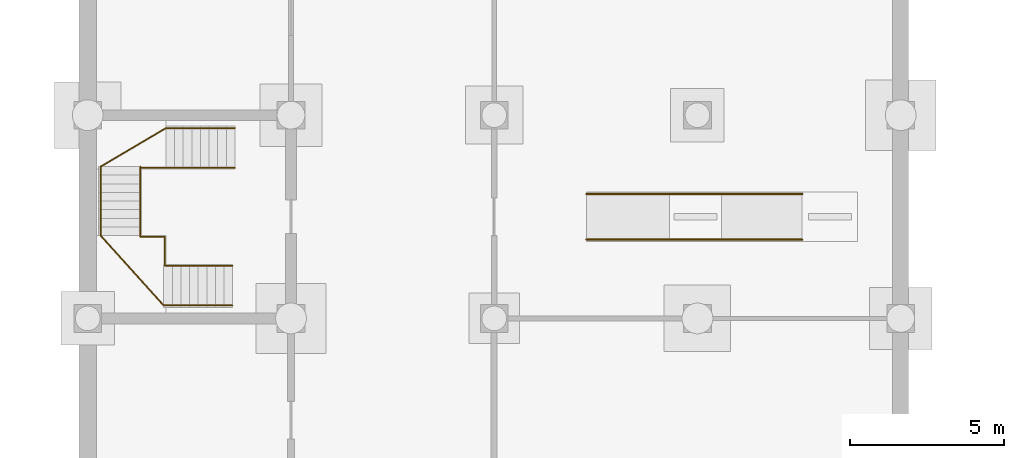
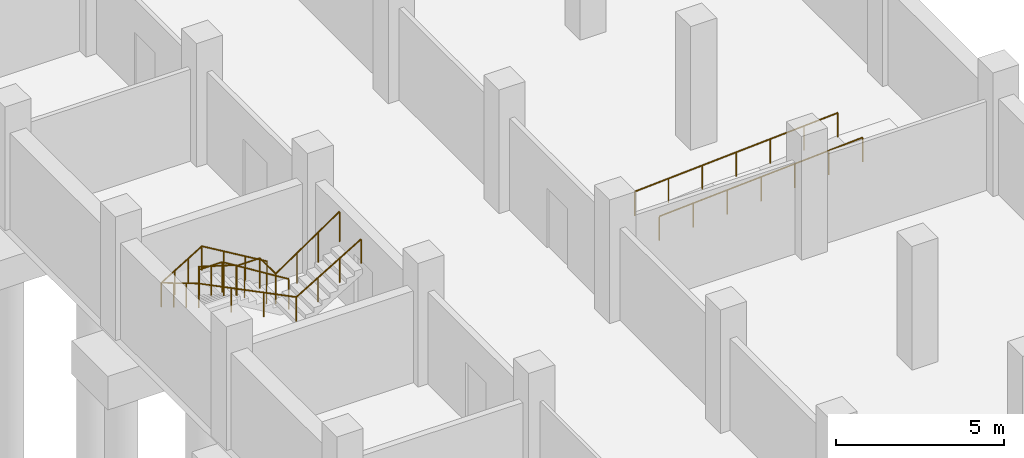
# One storey, part 18 of 18: 4 railings.
"""IFC4 building model written with IfcOpenShell, lengths in metres."""

from ifc_helpers import new_model, si_unit, direction, frame, origin, origin_2d, place, context, subcontext, project, spatial, circle, extrude, material, type_object, element, save


model = new_model("IFC4")

# Units and contexts
model_context = context("Model", 3, precision=1e-05, world=origin(), true_north=direction((0.0, 1.0)))
body_context = subcontext(model_context, "Body", "Model", "MODEL_VIEW")
ifc_project = project(units=[si_unit("LENGTHUNIT", "METRE"), si_unit("AREAUNIT", "SQUARE_METRE"), si_unit("VOLUMEUNIT", "CUBIC_METRE"), si_unit("PLANEANGLEUNIT", "RADIAN"), si_unit("MASSUNIT", "GRAM", prefix="KILO")], contexts=[model_context])

# Site, building, storey
site_placement = place(None, origin())
site = spatial("IfcSite", under=ifc_project, at=site_placement, CompositionType="ELEMENT")
building_placement = place(site_placement, origin())
building = spatial("IfcBuilding", under=site, at=building_placement, Name="Rusizi Kubbe Research Institute", CompositionType="ELEMENT")
storey_placement = place(building_placement, frame((0.0, 0.0, -4.5)))
storey = spatial("IfcBuildingStorey", under=building, at=storey_placement, Name="B01", CompositionType="ELEMENT", Elevation=-4.5)

# Railings
ifc_material_1 = material(Name="Painted Steel Stair Guard", Category="steel")
railing_type_1 = type_object("IfcRailingType", Name="GR-STAIR", PredefinedType="GUARDRAIL", material=ifc_material_1)
railing_1_placement = place(storey_placement, frame((4.780029296875, 130.2900390625, 0.083251953125)))
element("IfcRailing", 1, at=railing_1_placement, inside=storey, type_object=railing_type_1, Name="Stair Inner Well Guard ST6 B01", PredefinedType="GUARDRAIL", context=body_context, shape_type="SweptSolid", body=[
    extrude(circle(Radius=0.02392578125, at=origin_2d()), frame((0.0, 0.0, 1.09619140625), z_axis=(-0.849380094892, 0.0, 0.527781635149), x_axis=(0.0, -1.0, 0.0)), (0.0, 0.0, 1.0), 2.684326171875),
    extrude(circle(Radius=0.02392578125, at=origin_2d()), frame((-2.280029296875, 0.0, 2.5126953125), z_axis=(-1.0, 0.0, 0.0), x_axis=(0.0, -1.0, 0.0)), (0.0, 0.0, 1.0), 0.7900390625),
    extrude(circle(Radius=0.02392578125, at=origin_2d()), frame((-3.070068359375, 0.0, 2.5126953125), z_axis=(0.0, 0.43341827455, 0.901192875741), x_axis=(-1.0, 0.0, 0.0)), (0.0, 0.0, 1.0), 0.09228515625),
    extrude(circle(Radius=0.02392578125, at=origin_2d()), frame((-3.070068359375, 0.0400390625, 2.59619140625), z_axis=(0.0, -0.845145079244, 0.534536991264), x_axis=(1.0, 0.0, 0.0)), (0.0, 0.0, 1.0), 2.650390625),
    extrude(circle(Radius=0.02392578125, at=origin_2d()), frame((-3.070068359375, -2.199951171875, 4.0126953125), z_axis=(0.0, -1.0, 0.0), x_axis=(1.0, 0.0, 0.0)), (0.0, 0.0, 1.0), 0.0400390625),
    extrude(circle(Radius=0.02392578125, at=origin_2d()), frame((-3.070068359375, -2.239990234375, 4.0126953125), z_axis=(1.0, 0.0, 0.0), x_axis=(0.0, 1.0, 0.0)), (0.0, 0.0, 1.0), 0.7900390625),
    extrude(circle(Radius=0.02392578125, at=origin_2d()), frame((-2.280029296875, -2.239990234375, 4.0126953125), z_axis=(0.0, -1.0, 0.0), x_axis=(1.0, 0.0, 0.0)), (0.0, 0.0, 1.0), 0.93994140625),
    extrude(circle(Radius=0.02392578125, at=origin_2d()), frame((-2.280029296875, -3.179931640625, 4.0126953125), z_axis=(0.826221523208, 0.0, 0.563345359959), x_axis=(0.0, 1.0, 0.0)), (0.0, 0.0, 1.0), 2.66259765625),
    extrude(circle(Radius=0.02099609375, at=origin_2d()), origin(), (0.0, 0.0, 1.0), 1.072021484375),
    extrude(circle(Radius=0.02099609375, at=origin_2d()), frame((-0.760009765625, 0.0, 0.47216796875)), (0.0, 0.0, 1.0), 1.072021484375),
    extrude(circle(Radius=0.02099609375, at=origin_2d()), frame((-1.52001953125, 0.0, 0.944580078125)), (0.0, 0.0, 1.0), 1.072021484375),
    extrude(circle(Radius=0.02099609375, at=origin_2d()), frame((-2.280029296875, 0.0, 1.416748046875)), (0.0, 0.0, 1.0), 1.072021484375),
    extrude(circle(Radius=0.02099609375, at=origin_2d()), frame((-3.070068359375, 0.0, 1.416748046875)), (0.0, 0.0, 1.0), 1.072021484375),
    extrude(circle(Radius=0.02099609375, at=origin_2d()), frame((-3.070068359375, 0.0400390625, 1.5)), (0.0, 0.0, 1.0), 1.072021484375),
    extrude(circle(Radius=0.02099609375, at=origin_2d()), frame((-3.070068359375, -0.70654296875, 1.97216796875)), (0.0, 0.0, 1.0), 1.072021484375),
    extrude(circle(Radius=0.02099609375, at=origin_2d()), frame((-3.070068359375, -1.453369140625, 2.444580078125)), (0.0, 0.0, 1.0), 1.072021484375),
    extrude(circle(Radius=0.02099609375, at=origin_2d()), frame((-3.070068359375, -2.199951171875, 2.916748046875)), (0.0, 0.0, 1.0), 1.072021484375),
    extrude(circle(Radius=0.02099609375, at=origin_2d()), frame((-3.070068359375, -2.239990234375, 2.916748046875)), (0.0, 0.0, 1.0), 1.072021484375),
    extrude(circle(Radius=0.02099609375, at=origin_2d()), frame((-2.280029296875, -2.239990234375, 2.916748046875)), (0.0, 0.0, 1.0), 1.072021484375),
    extrude(circle(Radius=0.02099609375, at=origin_2d()), frame((-2.280029296875, -3.179931640625, 2.916748046875)), (0.0, 0.0, 1.0), 1.072021484375),
    extrude(circle(Radius=0.02099609375, at=origin_2d()), frame((-1.546630859375, -3.179931640625, 3.416748046875)), (0.0, 0.0, 1.0), 1.072021484375),
    extrude(circle(Radius=0.02099609375, at=origin_2d()), frame((-0.8134765625, -3.179931640625, 3.916748046875)), (0.0, 0.0, 1.0), 1.072021484375),
    extrude(circle(Radius=0.02099609375, at=origin_2d()), frame((-0.080078125, -3.179931640625, 4.416748046875)), (0.0, 0.0, 1.0), 1.072021484375),
])
ifc_material_2 = material(Name="Brushed Stainless Steel Handrail", Category="steel")
railing_type_2 = type_object("IfcRailingType", Name="HR-RAMP", PredefinedType="HANDRAIL", material=ifc_material_2)
for number, where, name in (
    (2, (16.199951171875, 127.9599609375, 0.0), "Ramp Handrail RAMP-B01-02-A"),
    (3, (16.199951171875, 129.43994140625, 0.0), "Ramp Handrail RAMP-B01-02-B"),
):
    element("IfcRailing", number, at=place(storey_placement, frame(where)), inside=storey, type_object=railing_type_2, Name=name, PredefinedType="HANDRAIL", context=body_context, shape_type="SweptSolid", body=[
        extrude(circle(Radius=0.02392578125, at=origin_2d()), frame((0.0, 0.0, 0.8759765625), z_axis=(0.998205511447, 0.0, 0.05988119), x_axis=(0.0, 1.0, 0.0)), (0.0, 0.0, 1.0), 7.0126953125),
        extrude(circle(Radius=0.02099609375, at=origin_2d()), origin(), (0.0, 0.0, 1.0), 0.851806640625),
        extrude(circle(Radius=0.02099609375, at=origin_2d()), frame((1.166748046875, 0.0, 0.070068359375)), (0.0, 0.0, 1.0), 0.851806640625),
        extrude(circle(Radius=0.02099609375, at=origin_2d()), frame((2.333251953125, 0.0, 0.139892578125)), (0.0, 0.0, 1.0), 0.851806640625),
        extrude(circle(Radius=0.02099609375, at=origin_2d()), frame((3.5, 0.0, 0.2099609375)), (0.0, 0.0, 1.0), 0.851806640625),
        extrude(circle(Radius=0.02099609375, at=origin_2d()), frame((4.666748046875, 0.0, 0.280029296875)), (0.0, 0.0, 1.0), 0.851806640625),
        extrude(circle(Radius=0.02099609375, at=origin_2d()), frame((5.833251953125, 0.0, 0.349853515625)), (0.0, 0.0, 1.0), 0.851806640625),
        extrude(circle(Radius=0.02099609375, at=origin_2d()), frame((7.0, 0.0, 0.419921875)), (0.0, 0.0, 1.0), 0.851806640625),
    ])
ifc_material_3 = material(Name="Brushed Stainless Steel Handrail", Category="steel")
railing_type_3 = type_object("IfcRailingType", Name="HR-STAIR", PredefinedType="HANDRAIL", material=ifc_material_3)
railing_2_placement = place(storey_placement, frame((4.780029296875, 131.580078125, 0.166748046875)))
element("IfcRailing", 4, at=railing_2_placement, inside=storey, type_object=railing_type_3, Name="Stair Wall Handrail ST6 B01", PredefinedType="HANDRAIL", context=body_context, shape_type="SweptSolid", body=[
    extrude(circle(Radius=0.02392578125, at=origin_2d()), frame((0.0, 0.0, 0.8759765625), z_axis=(-0.859305625298, 0.0, 0.511462454469), x_axis=(0.0, -1.0, 0.0)), (0.0, 0.0, 1.0), 2.606689453125),
    extrude(circle(Radius=0.02392578125, at=origin_2d()), frame((-2.239990234375, 0.0, 2.208984375), z_axis=(-0.859453479743, -0.506725220669, 0.067596352679), x_axis=(0.50788688454, -0.861423770575, 0.0)), (0.0, 0.0, 1.0), 2.466796875),
    extrude(circle(Radius=0.02392578125, at=origin_2d()), frame((-4.360107421875, -1.25, 2.3759765625), z_axis=(0.0, -0.859305625298, 0.511462454469), x_axis=(1.0, 0.0, 0.0)), (0.0, 0.0, 1.0), 2.606689453125),
    extrude(circle(Radius=0.02392578125, at=origin_2d()), frame((-4.360107421875, -3.489990234375, 3.708984375), z_axis=(0.668535083684, -0.741682282317, 0.054481501271), x_axis=(0.742785482118, 0.669529482215, 0.0)), (0.0, 0.0, 1.0), 3.060546875),
    extrude(circle(Radius=0.02392578125, at=origin_2d()), frame((-2.31396484375, -5.760009765625, 3.8759765625), z_axis=(0.858691267974, 0.0, 0.512493225618), x_axis=(0.0, 1.0, 0.0)), (0.0, 0.0, 1.0), 2.6015625),
    extrude(circle(Radius=0.02099609375, at=origin_2d()), origin(), (0.0, 0.0, 1.0), 0.851806640625),
    extrude(circle(Radius=0.02099609375, at=origin_2d()), frame((-0.74658203125, 0.0, 0.4443359375)), (0.0, 0.0, 1.0), 0.851806640625),
    extrude(circle(Radius=0.02099609375, at=origin_2d()), frame((-1.493408203125, 0.0, 0.888916015625)), (0.0, 0.0, 1.0), 0.851806640625),
    extrude(circle(Radius=0.02099609375, at=origin_2d()), frame((-2.239990234375, 0.0, 1.333251953125)), (0.0, 0.0, 1.0), 0.851806640625),
    extrude(circle(Radius=0.02099609375, at=origin_2d()), frame((-2.94677734375, -0.416748046875, 1.388916015625)), (0.0, 0.0, 1.0), 0.851806640625),
    extrude(circle(Radius=0.02099609375, at=origin_2d()), frame((-3.6533203125, -0.833251953125, 1.4443359375)), (0.0, 0.0, 1.0), 0.851806640625),
    extrude(circle(Radius=0.02099609375, at=origin_2d()), frame((-4.360107421875, -1.25, 1.5)), (0.0, 0.0, 1.0), 0.851806640625),
    extrude(circle(Radius=0.02099609375, at=origin_2d()), frame((-4.360107421875, -1.99658203125, 1.9443359375)), (0.0, 0.0, 1.0), 0.851806640625),
    extrude(circle(Radius=0.02099609375, at=origin_2d()), frame((-4.360107421875, -2.743408203125, 2.388916015625)), (0.0, 0.0, 1.0), 0.851806640625),
    extrude(circle(Radius=0.02099609375, at=origin_2d()), frame((-4.360107421875, -3.489990234375, 2.833251953125)), (0.0, 0.0, 1.0), 0.851806640625),
    extrude(circle(Radius=0.02099609375, at=origin_2d()), frame((-3.677978515625, -4.24658203125, 2.888916015625)), (0.0, 0.0, 1.0), 0.851806640625),
    extrude(circle(Radius=0.02099609375, at=origin_2d()), frame((-2.99609375, -5.00341796875, 2.9443359375)), (0.0, 0.0, 1.0), 0.851806640625),
    extrude(circle(Radius=0.02099609375, at=origin_2d()), frame((-2.31396484375, -5.760009765625, 3.0)), (0.0, 0.0, 1.0), 0.851806640625),
    extrude(circle(Radius=0.02099609375, at=origin_2d()), frame((-1.5693359375, -5.760009765625, 3.4443359375)), (0.0, 0.0, 1.0), 0.851806640625),
    extrude(circle(Radius=0.02099609375, at=origin_2d()), frame((-0.82470703125, -5.760009765625, 3.888916015625)), (0.0, 0.0, 1.0), 0.851806640625),
    extrude(circle(Radius=0.02099609375, at=origin_2d()), frame((-0.080078125, -5.760009765625, 4.333251953125)), (0.0, 0.0, 1.0), 0.851806640625),
])

save(model, "model.ifc")
